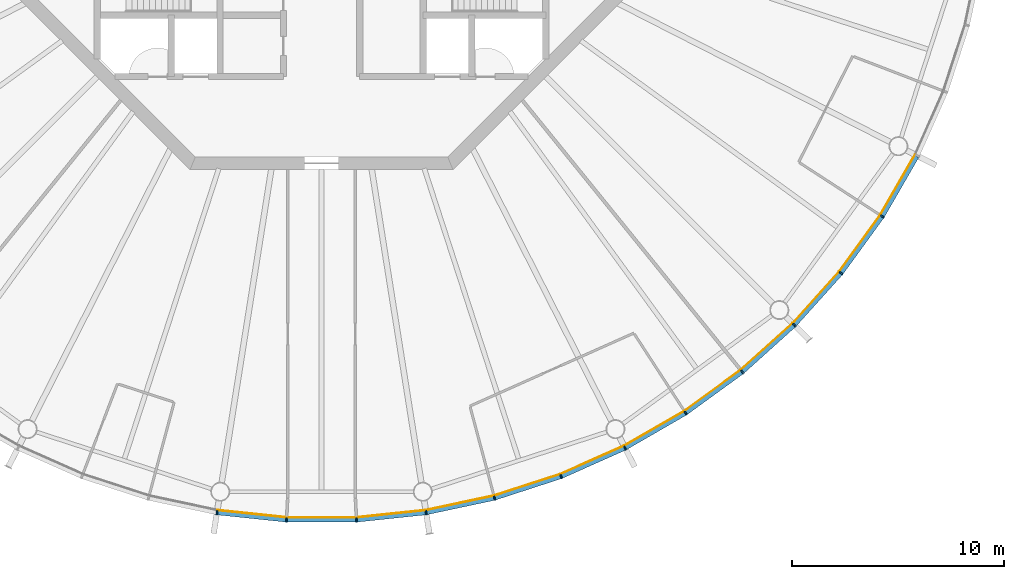
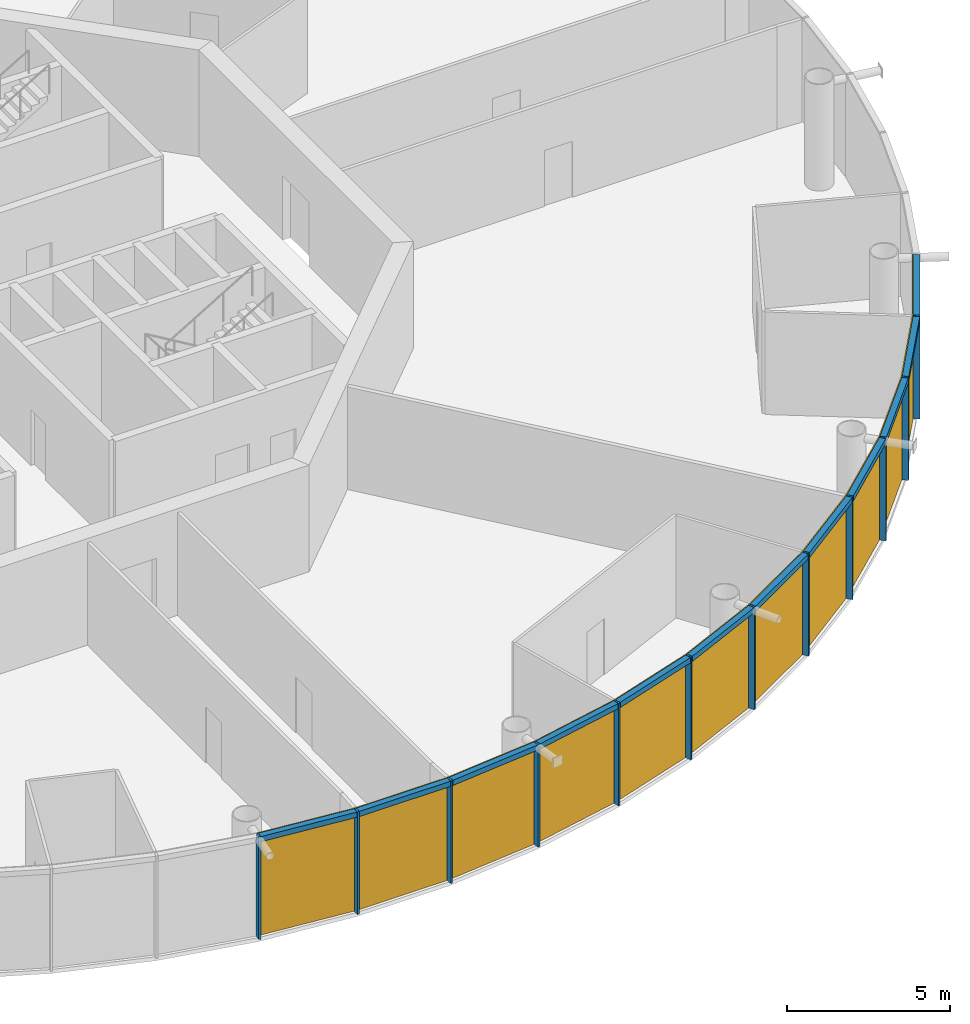
# One storey, part 13 of 18: 24 members, 4 curtain walls.
"""IFC4 building model written with IfcOpenShell, lengths in metres."""

from ifc_helpers import new_model, si_unit, direction, frame, origin, origin_2d, place, context, subcontext, project, spatial, polyline, rectangle, outline, extrude, material, layer, layer_set, material_profile, profile_set, type_object, element, aggregate, save


model = new_model("IFC4")

# Units and contexts
model_context = context("Model", 3, precision=1e-05, world=origin(), true_north=direction((0.0, 1.0)))
body_context = subcontext(model_context, "Body", "Model", "MODEL_VIEW")
ifc_project = project(units=[si_unit("LENGTHUNIT", "METRE"), si_unit("AREAUNIT", "SQUARE_METRE"), si_unit("VOLUMEUNIT", "CUBIC_METRE"), si_unit("PLANEANGLEUNIT", "RADIAN"), si_unit("MASSUNIT", "GRAM", prefix="KILO")], contexts=[model_context])

# Member
ifc_material_1 = material(Name="Anodised aluminium", Category="aluminium")
ifc_material_profile_1 = material_profile(ifc_material_1, rectangle(XDim=0.070068359375, YDim=0.205078125, at=origin_2d()), Name="Mullion 70 x 205 mm anodised aluminium")
ifc_profile_set_1 = profile_set([ifc_material_profile_1], Name="Anodised aluminium")
member_type_1 = type_object("IfcMemberType", Name="Mullion 70 x 205 mm anodised aluminium", PredefinedType="MULLION", material=ifc_profile_set_1)
site_placement = place(None, origin())
building_placement = place(site_placement, origin())
storey_placement = place(building_placement, frame((0.0, 0.0, 388.0)))
member_1_placement = place(storey_placement, frame((85.056396484375, 48.78662109375, 0.0), z_axis=(0.0, 0.0, 1.0), x_axis=(0.987688340595, -0.15643446504, 0.0)))
member_1 = element("IfcMember", 1, at=member_1_placement, type_object=member_type_1, Name="MULLION L90-42", PredefinedType="MULLION", context=body_context, shape_type="SweptSolid", body=[
    extrude(rectangle(XDim=0.070068359375, YDim=0.205078125, at=origin_2d()), origin(), (0.0, 0.0, 1.0), 3.85009765625),
])

member_2_placement = place(storey_placement, frame((88.345947265625, 48.44091796875, 0.0), z_axis=(0.0, 0.0, 1.0), x_axis=(0.998629534755, -0.052335956243, 0.0)))
member_2 = element("IfcMember", 2, at=member_2_placement, type_object=member_type_1, Name="MULLION L90-43", PredefinedType="MULLION", context=body_context, shape_type="SweptSolid", body=[
    extrude(rectangle(XDim=0.070068359375, YDim=0.205078125, at=origin_2d()), origin(), (0.0, 0.0, 1.0), 3.85009765625),
])

member_3_placement = place(storey_placement, frame((91.654052734375, 48.44091796875, 0.0), z_axis=(0.0, 0.0, 1.0), x_axis=(0.998629534755, 0.052335956243, 0.0)))
member_3 = element("IfcMember", 3, at=member_3_placement, type_object=member_type_1, Name="MULLION L90-44", PredefinedType="MULLION", context=body_context, shape_type="SweptSolid", body=[
    extrude(rectangle(XDim=0.070068359375, YDim=0.205078125, at=origin_2d()), origin(), (0.0, 0.0, 1.0), 3.85009765625),
])

member_4_placement = place(storey_placement, frame((94.943603515625, 48.78662109375, 0.0), z_axis=(0.0, 0.0, 1.0), x_axis=(0.987688340595, 0.15643446504, 0.0)))
member_4 = element("IfcMember", 4, at=member_4_placement, type_object=member_type_1, Name="MULLION L90-45", PredefinedType="MULLION", context=body_context, shape_type="SweptSolid", body=[
    extrude(rectangle(XDim=0.070068359375, YDim=0.205078125, at=origin_2d()), origin(), (0.0, 0.0, 1.0), 3.85009765625),
])

member_5_placement = place(storey_placement, frame((98.179443359375, 49.474365234375, 0.0), z_axis=(0.0, 0.0, 1.0), x_axis=(0.965925826289, 0.258819045103, 0.0)))
member_5 = element("IfcMember", 5, at=member_5_placement, type_object=member_type_1, Name="MULLION L90-46", PredefinedType="MULLION", context=body_context, shape_type="SweptSolid", body=[
    extrude(rectangle(XDim=0.070068359375, YDim=0.205078125, at=origin_2d()), origin(), (0.0, 0.0, 1.0), 3.85009765625),
])

member_6_placement = place(storey_placement, frame((101.325439453125, 50.49658203125, 0.0), z_axis=(0.0, 0.0, 1.0), x_axis=(0.933580426497, 0.358367949545, 0.0)))
member_6 = element("IfcMember", 6, at=member_6_placement, type_object=member_type_1, Name="MULLION L90-47", PredefinedType="MULLION", context=body_context, shape_type="SweptSolid", body=[
    extrude(rectangle(XDim=0.070068359375, YDim=0.205078125, at=origin_2d()), origin(), (0.0, 0.0, 1.0), 3.85009765625),
])

member_7_placement = place(storey_placement, frame((104.34716796875, 51.842041015625, 0.0), z_axis=(0.0, 0.0, 1.0), x_axis=(0.891006524188, 0.45399049974, 0.0)))
member_7 = element("IfcMember", 7, at=member_7_placement, type_object=member_type_1, Name="MULLION L90-48", PredefinedType="MULLION", context=body_context, shape_type="SweptSolid", body=[
    extrude(rectangle(XDim=0.070068359375, YDim=0.205078125, at=origin_2d()), origin(), (0.0, 0.0, 1.0), 3.85009765625),
])

member_8_placement = place(storey_placement, frame((107.2119140625, 53.495849609375, 0.0), z_axis=(0.0, 0.0, 1.0), x_axis=(0.838670567945, 0.544639035015, 0.0)))
member_8 = element("IfcMember", 8, at=member_8_placement, type_object=member_type_1, Name="MULLION L90-49", PredefinedType="MULLION", context=body_context, shape_type="SweptSolid", body=[
    extrude(rectangle(XDim=0.070068359375, YDim=0.205078125, at=origin_2d()), origin(), (0.0, 0.0, 1.0), 3.85009765625),
])

member_9_placement = place(storey_placement, frame((109.88818359375, 55.440185546875, 0.0), z_axis=(0.0, 0.0, 1.0), x_axis=(0.777145961457, 0.62932039105, 0.0)))
member_9 = element("IfcMember", 9, at=member_9_placement, type_object=member_type_1, Name="MULLION L90-50", PredefinedType="MULLION", context=body_context, shape_type="SweptSolid", body=[
    extrude(rectangle(XDim=0.070068359375, YDim=0.205078125, at=origin_2d()), origin(), (0.0, 0.0, 1.0), 3.85009765625),
])

member_10_placement = place(storey_placement, frame((112.346435546875, 57.653564453125, 0.0), z_axis=(0.0, 0.0, 1.0), x_axis=(0.707106781187, 0.707106781187, 0.0)))
member_10 = element("IfcMember", 10, at=member_10_placement, type_object=member_type_1, Name="MULLION L90-51", PredefinedType="MULLION", context=body_context, shape_type="SweptSolid", body=[
    extrude(rectangle(XDim=0.070068359375, YDim=0.205078125, at=origin_2d()), origin(), (0.0, 0.0, 1.0), 3.85009765625),
])

member_11_placement = place(storey_placement, frame((114.559814453125, 60.11181640625, 0.0), z_axis=(0.0, 0.0, 1.0), x_axis=(0.62932039105, 0.777145961457, 0.0)))
member_11 = element("IfcMember", 11, at=member_11_placement, type_object=member_type_1, Name="MULLION L90-52", PredefinedType="MULLION", context=body_context, shape_type="SweptSolid", body=[
    extrude(rectangle(XDim=0.070068359375, YDim=0.205078125, at=origin_2d()), origin(), (0.0, 0.0, 1.0), 3.85009765625),
])

member_12_placement = place(storey_placement, frame((116.504150390625, 62.7880859375, 0.0), z_axis=(0.0, 0.0, 1.0), x_axis=(0.544639035015, 0.838670567945, 0.0)))
member_12 = element("IfcMember", 12, at=member_12_placement, type_object=member_type_1, Name="MULLION L90-53", PredefinedType="MULLION", context=body_context, shape_type="SweptSolid", body=[
    extrude(rectangle(XDim=0.070068359375, YDim=0.205078125, at=origin_2d()), origin(), (0.0, 0.0, 1.0), 3.85009765625),
])

ifc_material_2 = material(Name="Anodised aluminium", Category="aluminium")
ifc_material_profile_2 = material_profile(ifc_material_2, rectangle(XDim=0.205078125, YDim=0.195068359375, at=origin_2d()), Name="Transom 195 x 205 mm anodised aluminium")
ifc_profile_set_2 = profile_set([ifc_material_profile_2], Name="Anodised aluminium")
member_type_2 = type_object("IfcMemberType", Name="Transom 195 x 205 mm anodised aluminium", PredefinedType="USERDEFINED", material=ifc_profile_set_2)
member_13_placement = place(storey_placement, frame((85.096435546875, 48.7822265625, 3.75244140625), z_axis=(0.994519537956, -0.104550890115, 0.0), x_axis=(0.104550890115, 0.994519537956, 0.0)))
member_13 = element("IfcMember", 13, at=member_13_placement, type_object=member_type_2, Name="TRANSOM L90-42", ObjectType="TRANSOM", PredefinedType="USERDEFINED", context=body_context, shape_type="SweptSolid", body=[
    extrude(rectangle(XDim=0.205078125, YDim=0.195068359375, at=origin_2d()), origin(), (0.0, 0.0, 1.0), 3.22705078125),
])

member_14_placement = place(storey_placement, frame((88.386474609375, 48.440673828125, 3.75244140625), z_axis=(1.0, 0.0, 0.0), x_axis=(0.0, 1.0, 0.0)))
member_14 = element("IfcMember", 14, at=member_14_placement, type_object=member_type_2, Name="TRANSOM L90-43", ObjectType="TRANSOM", PredefinedType="USERDEFINED", context=body_context, shape_type="SweptSolid", body=[
    extrude(rectangle(XDim=0.205078125, YDim=0.195068359375, at=origin_2d()), origin(), (0.0, 0.0, 1.0), 3.22705078125),
])

member_15_placement = place(storey_placement, frame((91.694091796875, 48.44482421875, 3.75244140625), z_axis=(0.994519537956, 0.104550890115, 0.0), x_axis=(-0.104550890115, 0.994519537956, 0.0)))
member_15 = element("IfcMember", 15, at=member_15_placement, type_object=member_type_2, Name="TRANSOM L90-44", ObjectType="TRANSOM", PredefinedType="USERDEFINED", context=body_context, shape_type="SweptSolid", body=[
    extrude(rectangle(XDim=0.205078125, YDim=0.195068359375, at=origin_2d()), origin(), (0.0, 0.0, 1.0), 3.22705078125),
])

member_16_placement = place(storey_placement, frame((94.983154296875, 48.794921875, 3.75244140625), z_axis=(0.978153082647, 0.207885898771, 0.0), x_axis=(-0.207885898771, 0.978153082647, 0.0)))
member_16 = element("IfcMember", 16, at=member_16_placement, type_object=member_type_2, Name="TRANSOM L90-45", ObjectType="TRANSOM", PredefinedType="USERDEFINED", context=body_context, shape_type="SweptSolid", body=[
    extrude(rectangle(XDim=0.205078125, YDim=0.195068359375, at=origin_2d()), origin(), (0.0, 0.0, 1.0), 3.227294921875),
])

member_17_placement = place(storey_placement, frame((98.2177734375, 49.486572265625, 3.75244140625), z_axis=(0.951046855117, 0.309046726844, 0.0), x_axis=(-0.309046726844, 0.951046855117, 0.0)))
member_17 = element("IfcMember", 17, at=member_17_placement, type_object=member_type_2, Name="TRANSOM L90-46", ObjectType="TRANSOM", PredefinedType="USERDEFINED", context=body_context, shape_type="SweptSolid", body=[
    extrude(rectangle(XDim=0.205078125, YDim=0.195068359375, at=origin_2d()), origin(), (0.0, 0.0, 1.0), 3.22705078125),
])

member_18_placement = place(storey_placement, frame((101.3623046875, 50.5126953125, 3.75244140625), z_axis=(0.913521178731, 0.406791170024, 0.0), x_axis=(-0.406791170024, 0.913521178731, 0.0)))
member_18 = element("IfcMember", 18, at=member_18_placement, type_object=member_type_2, Name="TRANSOM L90-47", ObjectType="TRANSOM", PredefinedType="USERDEFINED", context=body_context, shape_type="SweptSolid", body=[
    extrude(rectangle(XDim=0.205078125, YDim=0.195068359375, at=origin_2d()), origin(), (0.0, 0.0, 1.0), 3.22705078125),
])

member_19_placement = place(storey_placement, frame((104.38232421875, 51.862060546875, 3.75244140625), z_axis=(0.866023062494, 0.500004055213, 0.0), x_axis=(-0.500004055213, 0.866023062494, 0.0)))
member_19 = element("IfcMember", 19, at=member_19_placement, type_object=member_type_2, Name="TRANSOM L90-48", ObjectType="TRANSOM", PredefinedType="USERDEFINED", context=body_context, shape_type="SweptSolid", body=[
    extrude(rectangle(XDim=0.205078125, YDim=0.195068359375, at=origin_2d()), origin(), (0.0, 0.0, 1.0), 3.22705078125),
])

member_20_placement = place(storey_placement, frame((107.24462890625, 53.51953125, 3.75244140625), z_axis=(0.809004252048, 0.587802790201, 0.0), x_axis=(-0.587802790201, 0.809004252048, 0.0)))
member_20 = element("IfcMember", 20, at=member_20_placement, type_object=member_type_2, Name="TRANSOM L90-49", ObjectType="TRANSOM", PredefinedType="USERDEFINED", context=body_context, shape_type="SweptSolid", body=[
    extrude(rectangle(XDim=0.205078125, YDim=0.195068359375, at=origin_2d()), origin(), (0.0, 0.0, 1.0), 3.227294921875),
])

member_21_placement = place(storey_placement, frame((109.918212890625, 55.467041015625, 3.75244140625), z_axis=(0.743132370743, 0.669144438484, 0.0), x_axis=(-0.669144438484, 0.743132370743, 0.0)))
member_21 = element("IfcMember", 21, at=member_21_placement, type_object=member_type_2, Name="TRANSOM L90-50", ObjectType="TRANSOM", PredefinedType="USERDEFINED", context=body_context, shape_type="SweptSolid", body=[
    extrude(rectangle(XDim=0.205078125, YDim=0.195068359375, at=origin_2d()), origin(), (0.0, 0.0, 1.0), 3.22705078125),
])

member_22_placement = place(storey_placement, frame((112.37353515625, 57.68359375, 3.75244140625), z_axis=(0.669144438484, 0.743132370743, 0.0), x_axis=(-0.743132370743, 0.669144438484, 0.0)))
member_22 = element("IfcMember", 22, at=member_22_placement, type_object=member_type_2, Name="TRANSOM L90-51", ObjectType="TRANSOM", PredefinedType="USERDEFINED", context=body_context, shape_type="SweptSolid", body=[
    extrude(rectangle(XDim=0.205078125, YDim=0.195068359375, at=origin_2d()), origin(), (0.0, 0.0, 1.0), 3.22705078125),
])

member_23_placement = place(storey_placement, frame((114.58349609375, 60.14453125, 3.75244140625), z_axis=(0.587802790201, 0.809004252048, 0.0), x_axis=(-0.809004252048, 0.587802790201, 0.0)))
member_23 = element("IfcMember", 23, at=member_23_placement, type_object=member_type_2, Name="TRANSOM L90-52", ObjectType="TRANSOM", PredefinedType="USERDEFINED", context=body_context, shape_type="SweptSolid", body=[
    extrude(rectangle(XDim=0.205078125, YDim=0.195068359375, at=origin_2d()), origin(), (0.0, 0.0, 1.0), 3.227294921875),
])

member_24_placement = place(storey_placement, frame((116.5244140625, 62.822998046875, 3.75244140625), z_axis=(0.500004055213, 0.866023062494, 0.0), x_axis=(-0.866023062494, 0.500004055213, 0.0)))
member_24 = element("IfcMember", 24, at=member_24_placement, type_object=member_type_2, Name="TRANSOM L90-53", ObjectType="TRANSOM", PredefinedType="USERDEFINED", context=body_context, shape_type="SweptSolid", body=[
    extrude(rectangle(XDim=0.205078125, YDim=0.195068359375, at=origin_2d()), origin(), (0.0, 0.0, 1.0), 3.22705078125),
])

# Site, building, storey
site = spatial("IfcSite", under=ifc_project, at=site_placement, CompositionType="ELEMENT")
building = spatial("IfcBuilding", under=site, at=building_placement, Name="Entoto Ring Tower", CompositionType="ELEMENT")
storey = spatial("IfcBuildingStorey", under=building, at=storey_placement, Name="L90", CompositionType="ELEMENT", Elevation=388.0)

# Curtain wall
ifc_material_3 = material(Name="Clear low-iron glass", Category="glass")
ifc_layer = layer(ifc_material_3, 0.035888671875)
ifc_layer_set = layer_set([ifc_layer], Name="Clear low-iron glass")
curtain_wall_type = type_object("IfcCurtainWallType", Name="Curtain wall system CW6 glazing 36 mm", PredefinedType="NOTDEFINED", material=ifc_layer_set)
curtain_wall_1_placement = place(storey_placement, origin())
curtain_wall_1 = element("IfcCurtainWall", 25, at=curtain_wall_1_placement, inside=storey, type_object=curtain_wall_type, Name="CW6 L90-15", PredefinedType="NOTDEFINED", context=body_context, shape_type="SweptSolid", body=[
    extrude(outline(polyline([(85.072265625, 48.8876953125), (88.351318359375, 48.543212890625), (91.648681640625, 48.543212890625), (94.927734375, 48.8876953125), (94.922119140625, 48.92333984375), (91.646728515625, 48.5791015625), (88.353271484375, 48.5791015625), (85.077880859375, 48.92333984375), (85.072265625, 48.8876953125)])), origin(), (0.0, 0.0, 1.0), 3.85009765625),
])

aggregate(curtain_wall_1, [member_1, member_2, member_3, member_13, member_14, member_15])

curtain_wall_2_placement = place(storey_placement, origin())
curtain_wall_2 = element("IfcCurtainWall", 26, at=curtain_wall_2_placement, inside=storey, type_object=curtain_wall_type, Name="CW6 L90-16", PredefinedType="NOTDEFINED", context=body_context, shape_type="SweptSolid", body=[
    extrude(outline(polyline([(94.927734375, 48.8876953125), (98.15283203125, 49.5732421875), (101.28857421875, 50.59228515625), (104.30078125, 51.933349609375), (104.284423828125, 51.96533203125), (101.275634765625, 50.6259765625), (98.1435546875, 49.608154296875), (94.922119140625, 48.92333984375), (94.927734375, 48.8876953125)])), origin(), (0.0, 0.0, 1.0), 3.85009765625),
])

aggregate(curtain_wall_2, [member_4, member_5, member_6, member_16, member_17, member_18])

curtain_wall_3_placement = place(storey_placement, origin())
curtain_wall_3 = element("IfcCurtainWall", 27, at=curtain_wall_3_placement, inside=storey, type_object=curtain_wall_type, Name="CW6 L90-17", PredefinedType="NOTDEFINED", context=body_context, shape_type="SweptSolid", body=[
    extrude(outline(polyline([(104.30078125, 51.933349609375), (107.15625, 53.581787109375), (109.823486328125, 55.52001953125), (112.27392578125, 57.72607421875), (112.248291015625, 57.751708984375), (109.801025390625, 55.5478515625), (107.136474609375, 53.612060546875), (104.284423828125, 51.96533203125), (104.30078125, 51.933349609375)])), origin(), (0.0, 0.0, 1.0), 3.85009765625),
])

aggregate(curtain_wall_3, [member_7, member_8, member_9, member_19, member_20, member_21])

curtain_wall_4_placement = place(storey_placement, origin())
curtain_wall_4 = element("IfcCurtainWall", 28, at=curtain_wall_4_placement, inside=storey, type_object=curtain_wall_type, Name="CW6 L90-18", PredefinedType="NOTDEFINED", context=body_context, shape_type="SweptSolid", body=[
    extrude(outline(polyline([(112.27392578125, 57.72607421875), (114.47998046875, 60.176513671875), (116.418212890625, 62.84375), (118.066650390625, 65.69921875), (118.03466796875, 65.715576171875), (116.387939453125, 62.863525390625), (114.4521484375, 60.198974609375), (112.248291015625, 57.751708984375), (112.27392578125, 57.72607421875)])), origin(), (0.0, 0.0, 1.0), 3.85009765625),
])

aggregate(curtain_wall_4, [member_10, member_11, member_12, member_22, member_23, member_24])

save(model, "model.ifc")
